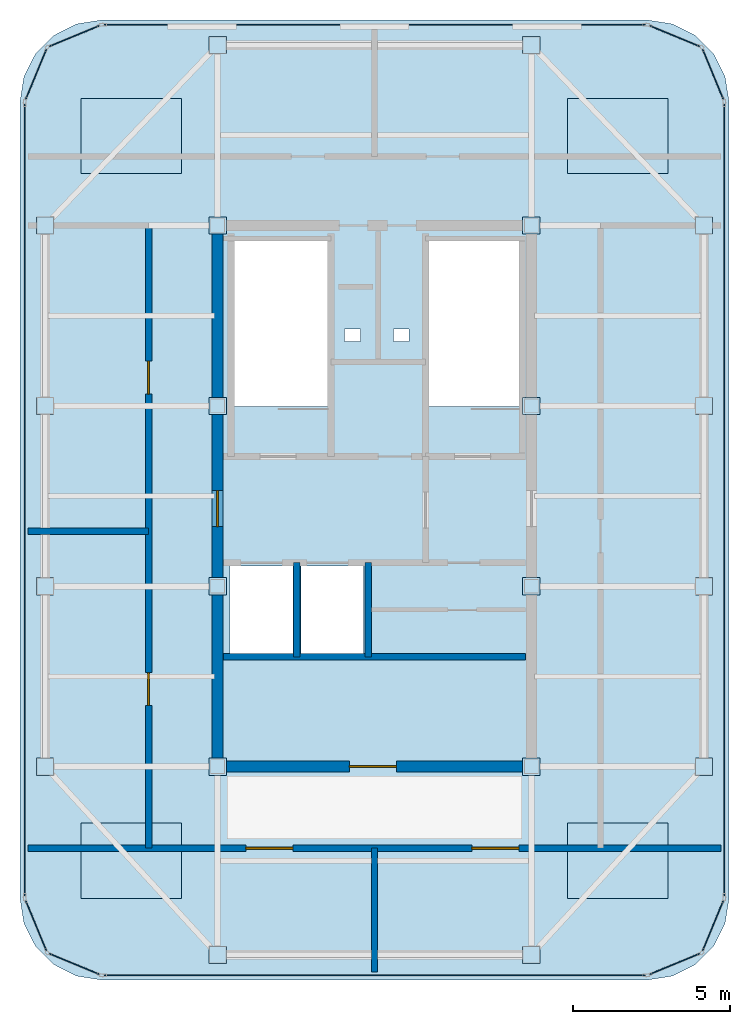
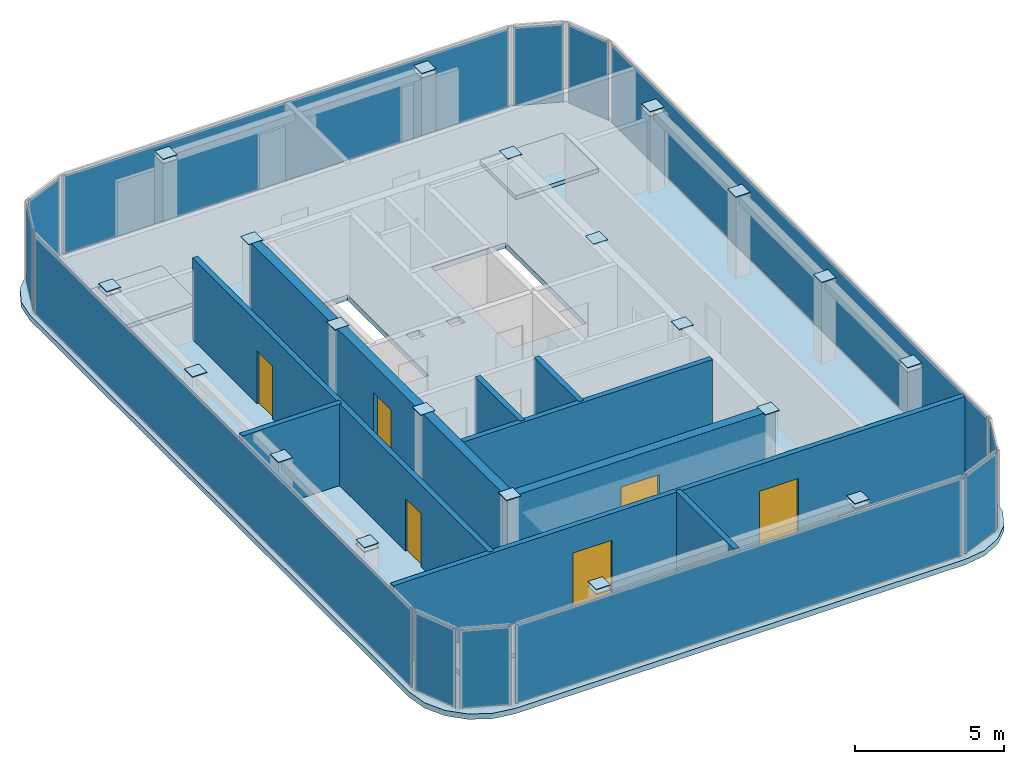
# One storey, part 9 of 11: 40 plates, 9 walls, 6 doors, 5 slabs, 6 openings, 12 elements without a shape of their own.
"""IFC4 building model written with IfcOpenShell, lengths in metres."""

from ifc_helpers import new_model, si_unit, direction, frame, frame_2d, origin, origin_2d, place, context, subcontext, project, spatial, polyline, rectangle, outline, extrude, source, transform, mapped, material, layer, layer_set, type_object, element, fill, aggregate, save


model = new_model("IFC4")

# Units and contexts
model_context = context("Model", 3, precision=1e-05, world=origin(), true_north=direction((0.0, 1.0)))
body_context = subcontext(model_context, "Body", "Model", "MODEL_VIEW")
ifc_project = project(units=[si_unit("LENGTHUNIT", "METRE"), si_unit("AREAUNIT", "SQUARE_METRE"), si_unit("VOLUMEUNIT", "CUBIC_METRE"), si_unit("PLANEANGLEUNIT", "RADIAN"), si_unit("MASSUNIT", "GRAM", prefix="KILO")], contexts=[model_context])

# Site, building, storey
site_placement = place(None, origin())
site = spatial("IfcSite", under=ifc_project, at=site_placement, CompositionType="ELEMENT")
building_placement = place(site_placement, origin())
building = spatial("IfcBuilding", under=site, at=building_placement, Name="Kolveth Station Tower", CompositionType="ELEMENT")
storey_placement = place(building_placement, frame((0.0, 0.0, 292.89990234375)))
storey = spatial("IfcBuildingStorey", under=building, at=storey_placement, Name="L84", CompositionType="ELEMENT", Elevation=292.89990234375)

# Slab
ifc_material_1 = material(Name="Concrete C40/50", Category="concrete")
ifc_layer_1 = layer(ifc_material_1, 0.219970703125)
ifc_layer_set_1 = layer_set([ifc_layer_1], Name="Concrete C40/50")
slab_type_1 = type_object("IfcSlabType", Name="Slab_SF-220", PredefinedType="FLOOR", material=ifc_layer_set_1)
slab_placement = place(storey_placement, frame((0.0, 0.0, -0.219970703125)))
element("IfcSlab", 1, at=slab_placement, inside=storey, type_object=slab_type_1, Name="L84 Tower Structural Floor Slab", PredefinedType="FLOOR", context=body_context, shape_type="SweptSolid", body=[
    extrude(outline(polyline([(32.199951171875, 4.699951171875), (33.00341796875, 4.827392578125), (33.728271484375, 5.196533203125), (34.303466796875, 5.771728515625), (34.672607421875, 6.49658203125), (34.800048828125, 7.300048828125), (34.800048828125, 32.699951171875), (34.672607421875, 33.50341796875), (34.303466796875, 34.228271484375), (33.728271484375, 34.803466796875), (33.00341796875, 35.172607421875), (32.199951171875, 35.300048828125), (14.800048828125, 35.300048828125), (13.99658203125, 35.172607421875), (13.271728515625, 34.803466796875), (12.696533203125, 34.228271484375), (12.327392578125, 33.50341796875), (12.199951171875, 32.699951171875), (12.199951171875, 7.300048828125), (12.327392578125, 6.49658203125), (12.696533203125, 5.771728515625), (13.271728515625, 5.196533203125), (13.99658203125, 4.827392578125), (14.800048828125, 4.699951171875), (32.199951171875, 4.699951171875)]), holes=[polyline([(19.0400390625, 22.985107421875), (22.0, 22.985107421875), (22.0, 28.39990234375), (19.0400390625, 28.39990234375), (19.0400390625, 22.985107421875)]), polyline([(25.239990234375, 22.985107421875), (28.10009765625, 22.985107421875), (28.10009765625, 28.39990234375), (25.239990234375, 28.39990234375), (25.239990234375, 22.985107421875)]), polyline([(18.89990234375, 15.10009765625), (20.89990234375, 15.10009765625), (20.89990234375, 17.89990234375), (18.89990234375, 17.89990234375), (18.89990234375, 15.10009765625)]), polyline([(21.14990234375, 15.10009765625), (23.14990234375, 15.10009765625), (23.14990234375, 17.89990234375), (21.14990234375, 17.89990234375), (21.14990234375, 15.10009765625)]), polyline([(22.550048828125, 25.050048828125), (23.050048828125, 25.050048828125), (23.050048828125, 25.449951171875), (22.550048828125, 25.449951171875), (22.550048828125, 25.050048828125)]), polyline([(24.10009765625, 25.050048828125), (24.60009765625, 25.050048828125), (24.60009765625, 25.449951171875), (24.10009765625, 25.449951171875), (24.10009765625, 25.050048828125)])]), origin(), (0.0, 0.0, 1.0), 0.219970703125),
])

# Plates
ifc_material_2 = material(Name="Steel S355", Category="steel")
ifc_layer_2 = layer(ifc_material_2, 0.028076171875)
ifc_layer_set_2 = layer_set([ifc_layer_2], Name="Steel S355")
plate_type_1 = type_object("IfcPlateType", Name="Plate_CP1", PredefinedType="USERDEFINED", material=ifc_layer_set_2)
shared_shape_1 = source(origin(), body_context, "Body", "SweptSolid", [
    extrude(rectangle(XDim=0.550048828125, YDim=0.550048828125, at=origin_2d()), origin(), (0.0, 0.0, 1.0), 0.028076171875),
])
for number, where, z_axis, x_axis, name in (
    (2, (18.5, 5.5, 3.31201171875), (0.0, 0.0, 1.0), (1.0, 0.0, 0.0), "L84 Tower Column Top Cap Plate S-X185"),
    (3, (18.5, 34.5, 3.31201171875), (0.0, 0.0, 1.0), (1.0, 0.0, 0.0), "L84 Tower Column Top Cap Plate N-X185"),
    (4, (28.5, 5.5, 3.31201171875), (0.0, 0.0, 1.0), (1.0, 0.0, 0.0), "L84 Tower Column Top Cap Plate S-X285"),
    (5, (28.5, 34.5, 3.31201171875), (0.0, 0.0, 1.0), (1.0, 0.0, 0.0), "L84 Tower Column Top Cap Plate N-X285"),
    (6, (13.0, 11.5, 3.31201171875), (0.0, 0.0, 1.0), (1.0, 0.0, 0.0), "L84 Tower Column Top Cap Plate W-Y115"),
    (7, (34.0, 11.5, 3.31201171875), (0.0, 0.0, 1.0), (1.0, 0.0, 0.0), "L84 Tower Column Top Cap Plate E-Y115"),
    (8, (13.0, 17.25, 3.31201171875), (0.0, 0.0, 1.0), (1.0, 0.0, 0.0), "L84 Tower Column Top Cap Plate W-Y172"),
    (9, (34.0, 17.25, 3.31201171875), (0.0, 0.0, 1.0), (1.0, 0.0, 0.0), "L84 Tower Column Top Cap Plate E-Y172"),
    (10, (13.0, 23.0, 3.31201171875), (0.0, 0.0, 1.0), (1.0, 0.0, 0.0), "L84 Tower Column Top Cap Plate W-Y230"),
    (11, (34.0, 23.0, 3.31201171875), (0.0, 0.0, 1.0), (1.0, 0.0, 0.0), "L84 Tower Column Top Cap Plate E-Y230"),
    (12, (13.0, 28.75, 3.31201171875), (0.0, 0.0, 1.0), (1.0, 0.0, 0.0), "L84 Tower Column Top Cap Plate W-Y287"),
    (13, (34.0, 28.75, 3.31201171875), (0.0, 0.0, 1.0), (1.0, 0.0, 0.0), "L84 Tower Column Top Cap Plate E-Y287"),
    (14, (18.5, 11.5, 3.31201171875), (0.0, 0.0, 1.0), (1.0, 0.0, 0.0), "L84 Tower Column Top Cap Plate G-185-115"),
    (15, (18.5, 17.25, 3.31201171875), (0.0, 0.0, 1.0), (1.0, 0.0, 0.0), "L84 Tower Column Top Cap Plate G-185-172"),
    (16, (18.5, 23.0, 3.31201171875), (0.0, 0.0, 1.0), (1.0, 0.0, 0.0), "L84 Tower Column Top Cap Plate G-185-230"),
    (17, (18.5, 28.75, 3.31201171875), (0.0, 0.0, 1.0), (1.0, 0.0, 0.0), "L84 Tower Column Top Cap Plate G-185-287"),
    (18, (28.5, 11.5, 3.31201171875), (0.0, 0.0, 1.0), (1.0, 0.0, 0.0), "L84 Tower Column Top Cap Plate G-285-115"),
    (19, (28.5, 17.25, 3.31201171875), (0.0, 0.0, 1.0), (1.0, 0.0, 0.0), "L84 Tower Column Top Cap Plate G-285-172"),
    (20, (28.5, 23.0, 3.31201171875), (0.0, 0.0, 1.0), (1.0, 0.0, 0.0), "L84 Tower Column Top Cap Plate G-285-230"),
    (21, (28.5, 28.75, 3.31201171875), (0.0, 0.0, 1.0), (1.0, 0.0, 0.0), "L84 Tower Column Top Cap Plate G-285-287"),
    (22, (18.5, 5.5, 3.13623046875), (0.0, 0.0, 1.0), (1.0, 0.0, 0.0), "L84 Crown Chord End Plate 1"),
    (23, (28.5, 5.5, 3.13623046875), (0.0, 0.0, 1.0), (1.0, 0.0, 0.0), "L84 Crown Chord End Plate 2"),
    (24, (18.5, 34.5, 3.13623046875), (0.0, 0.0, 1.0), (1.0, 0.0, 0.0), "L84 Crown Chord End Plate 3"),
    (25, (28.5, 34.5, 3.13623046875), (0.0, 0.0, 1.0), (1.0, 0.0, 0.0), "L84 Crown Chord End Plate 4"),
    (26, (13.0, 11.5, 3.13623046875), (0.0, 0.0, 1.0), (1.0, 0.0, 0.0), "L84 Crown Chord End Plate 5"),
    (27, (13.0, 28.75, 3.13623046875), (0.0, 0.0, 1.0), (1.0, 0.0, 0.0), "L84 Crown Chord End Plate 6"),
    (28, (34.0, 11.5, 3.13623046875), (0.0, 0.0, 1.0), (1.0, 0.0, 0.0), "L84 Crown Chord End Plate 7"),
    (29, (34.0, 28.75, 3.13623046875), (0.0, 0.0, 1.0), (1.0, 0.0, 0.0), "L84 Crown Chord End Plate 8"),
):
    element("IfcPlate", number, at=place(storey_placement, frame(where, z_axis=z_axis, x_axis=x_axis)), inside=storey, type_object=plate_type_1, Name=name, ObjectType="GUSSET_PLATE", PredefinedType="USERDEFINED", context=body_context, shape_type="MappedRepresentation", body=[
        mapped(shared_shape_1, transform((0.0, 0.0, 0.0), x_axis=(1.0, 0.0, 0.0), y_axis=(0.0, 1.0, 0.0), z_axis=(0.0, 0.0, 1.0), scale=1.0)),
    ])

# Slabs
ifc_layer_3 = layer(ifc_material_1, 0.159912109375)
ifc_layer_set_3 = layer_set([ifc_layer_3], Name="Concrete C40/50")
slab_type_2 = type_object("IfcSlabType", Name="Slab_PL-160", PredefinedType="FLOOR", material=ifc_layer_set_3)
shared_shape_2 = source(origin(), body_context, "Body", "SweptSolid", [
    extrude(rectangle(XDim=3.199951171875, YDim=2.39990234375, at=origin_2d()), origin(), (0.0, 0.0, 1.0), 0.159912109375),
])
for number, where, z_axis, x_axis, name in (
    (30, (15.75, 8.5, 0.0), (0.0, 0.0, 1.0), (1.0, 0.0, 0.0), "L84 High-Altitude Plant Plinth 1"),
    (31, (31.25, 8.5, 0.0), (0.0, 0.0, 1.0), (1.0, 0.0, 0.0), "L84 High-Altitude Plant Plinth 2"),
    (32, (15.75, 31.60009765625, 0.0), (0.0, 0.0, 1.0), (1.0, 0.0, 0.0), "L84 High-Altitude Plant Plinth 3"),
    (33, (31.25, 31.60009765625, 0.0), (0.0, 0.0, 1.0), (1.0, 0.0, 0.0), "L84 High-Altitude Plant Plinth 4"),
):
    element("IfcSlab", number, at=place(storey_placement, frame(where, z_axis=z_axis, x_axis=x_axis)), inside=storey, type_object=slab_type_2, Name=name, PredefinedType="FLOOR", context=body_context, shape_type="MappedRepresentation", body=[
        mapped(shared_shape_2, transform((0.0, 0.0, 0.0), x_axis=(1.0, 0.0, 0.0), y_axis=(0.0, 1.0, 0.0), z_axis=(0.0, 0.0, 1.0), scale=1.0)),
    ])

# Curtain wall, plate
ifc_material_3 = material(Name="Black anodized aluminium 6063-T6 and dark crown glass", Category="aluminium")
ifc_layer_4 = layer(ifc_material_3, 0.169921875)
ifc_layer_set_4 = layer_set([ifc_layer_4], Name="Black anodized aluminium 6063-T6 and dark crown glass")
curtain_wall_type = type_object("IfcCurtainWallType", Name="CurtainWall_CW-CR", PredefinedType="NOTDEFINED", material=ifc_layer_set_4)
curtain_wall_1_placement = place(storey_placement, origin())
curtain_wall_1 = element("IfcCurtainWall", 34, at=curtain_wall_1_placement, inside=storey, type_object=curtain_wall_type, Name="L84 Stepped Crown Curtain Wall 1", PredefinedType="NOTDEFINED")
ifc_material_4 = material(Name="Architectural low-E dark glass", Category="glass")
ifc_layer_5 = layer(ifc_material_4, 0.033935546875)
ifc_layer_set_5 = layer_set([ifc_layer_5], Name="Architectural low-E dark glass")
plate_type_2 = type_object("IfcPlateType", Name="Panel_GL-CR", PredefinedType="CURTAIN_PANEL", material=ifc_layer_set_5)
shared_shape_3 = source(origin(), body_context, "Body", "SweptSolid", [
    extrude(rectangle(XDim=1.718994140625, YDim=0.033935546875, at=origin_2d()), origin(), (0.0, 0.0, 1.0), 3.194091796875),
])
plate_1_placement = place(storey_placement, frame((33.066162109375, 5.208740234375, 0.0732421875), z_axis=(0.0, 0.0, 1.0), x_axis=(0.923876435676, 0.382690908701, 0.0)))
plate_1 = element("IfcPlate", 35, at=plate_1_placement, type_object=plate_type_2, Name="CW-CR panel 1.1", PredefinedType="CURTAIN_PANEL", context=body_context, shape_type="MappedRepresentation", body=[
    mapped(shared_shape_3, transform((0.0, 0.0, 0.0), x_axis=(1.0, 0.0, 0.0), y_axis=(0.0, 1.0, 0.0), z_axis=(0.0, 0.0, 1.0), scale=1.0)),
])
aggregate(curtain_wall_1, [plate_1])

curtain_wall_2_placement = place(storey_placement, origin())
curtain_wall_2 = element("IfcCurtainWall", 36, at=curtain_wall_2_placement, inside=storey, type_object=curtain_wall_type, Name="L84 Stepped Crown Curtain Wall 2", PredefinedType="NOTDEFINED")
plate_2_placement = place(storey_placement, frame((34.291259765625, 6.433837890625, 0.0732421875), z_axis=(0.0, 0.0, 1.0), x_axis=(0.382690908701, 0.923876435676, 0.0)))
plate_2 = element("IfcPlate", 37, at=plate_2_placement, type_object=plate_type_2, Name="CW-CR panel 1.1", PredefinedType="CURTAIN_PANEL", context=body_context, shape_type="MappedRepresentation", body=[
    mapped(shared_shape_3, transform((0.0, 0.0, 0.0), x_axis=(1.0, 0.0, 0.0), y_axis=(0.0, 1.0, 0.0), z_axis=(0.0, 0.0, 1.0), scale=1.0)),
])
aggregate(curtain_wall_2, [plate_2])

curtain_wall_3_placement = place(storey_placement, origin())
curtain_wall_3 = element("IfcCurtainWall", 38, at=curtain_wall_3_placement, inside=storey, type_object=curtain_wall_type, Name="L84 Stepped Crown Curtain Wall 4", PredefinedType="NOTDEFINED")
plate_3_placement = place(storey_placement, frame((34.291259765625, 33.566162109375, 0.0732421875), z_axis=(0.0, 0.0, 1.0), x_axis=(-0.382690908701, 0.923876435676, 0.0)))
plate_3 = element("IfcPlate", 39, at=plate_3_placement, type_object=plate_type_2, Name="CW-CR panel 1.1", PredefinedType="CURTAIN_PANEL", context=body_context, shape_type="MappedRepresentation", body=[
    mapped(shared_shape_3, transform((0.0, 0.0, 0.0), x_axis=(1.0, 0.0, 0.0), y_axis=(0.0, 1.0, 0.0), z_axis=(0.0, 0.0, 1.0), scale=1.0)),
])
aggregate(curtain_wall_3, [plate_3])

curtain_wall_4_placement = place(storey_placement, origin())
curtain_wall_4 = element("IfcCurtainWall", 40, at=curtain_wall_4_placement, inside=storey, type_object=curtain_wall_type, Name="L84 Stepped Crown Curtain Wall 5", PredefinedType="NOTDEFINED")
plate_4_placement = place(storey_placement, frame((33.066162109375, 34.791259765625, 0.0732421875), z_axis=(0.0, 0.0, 1.0), x_axis=(-0.923876435676, 0.382690908701, 0.0)))
plate_4 = element("IfcPlate", 41, at=plate_4_placement, type_object=plate_type_2, Name="CW-CR panel 1.1", PredefinedType="CURTAIN_PANEL", context=body_context, shape_type="MappedRepresentation", body=[
    mapped(shared_shape_3, transform((0.0, 0.0, 0.0), x_axis=(1.0, 0.0, 0.0), y_axis=(0.0, 1.0, 0.0), z_axis=(0.0, 0.0, 1.0), scale=1.0)),
])
aggregate(curtain_wall_4, [plate_4])

curtain_wall_5_placement = place(storey_placement, origin())
curtain_wall_5 = element("IfcCurtainWall", 42, at=curtain_wall_5_placement, inside=storey, type_object=curtain_wall_type, Name="L84 Stepped Crown Curtain Wall 7", PredefinedType="NOTDEFINED")
plate_5_placement = place(storey_placement, frame((13.933837890625, 34.791259765625, 0.0732421875), z_axis=(0.0, 0.0, 1.0), x_axis=(-0.923876435676, -0.382690908701, 0.0)))
plate_5 = element("IfcPlate", 43, at=plate_5_placement, type_object=plate_type_2, Name="CW-CR panel 1.1", PredefinedType="CURTAIN_PANEL", context=body_context, shape_type="MappedRepresentation", body=[
    mapped(shared_shape_3, transform((0.0, 0.0, 0.0), x_axis=(1.0, 0.0, 0.0), y_axis=(0.0, 1.0, 0.0), z_axis=(0.0, 0.0, 1.0), scale=1.0)),
])
aggregate(curtain_wall_5, [plate_5])

curtain_wall_6_placement = place(storey_placement, origin())
curtain_wall_6 = element("IfcCurtainWall", 44, at=curtain_wall_6_placement, inside=storey, type_object=curtain_wall_type, Name="L84 Stepped Crown Curtain Wall 8", PredefinedType="NOTDEFINED")
plate_6_placement = place(storey_placement, frame((12.708740234375, 33.566162109375, 0.0732421875), z_axis=(0.0, 0.0, 1.0), x_axis=(-0.382690908701, -0.923876435676, 0.0)))
plate_6 = element("IfcPlate", 45, at=plate_6_placement, type_object=plate_type_2, Name="CW-CR panel 1.1", PredefinedType="CURTAIN_PANEL", context=body_context, shape_type="MappedRepresentation", body=[
    mapped(shared_shape_3, transform((0.0, 0.0, 0.0), x_axis=(1.0, 0.0, 0.0), y_axis=(0.0, 1.0, 0.0), z_axis=(0.0, 0.0, 1.0), scale=1.0)),
])
aggregate(curtain_wall_6, [plate_6])

curtain_wall_7_placement = place(storey_placement, origin())
curtain_wall_7 = element("IfcCurtainWall", 46, at=curtain_wall_7_placement, inside=storey, type_object=curtain_wall_type, Name="L84 Stepped Crown Curtain Wall 10", PredefinedType="NOTDEFINED")
plate_7_placement = place(storey_placement, frame((12.708740234375, 6.433837890625, 0.0732421875), z_axis=(0.0, 0.0, 1.0), x_axis=(0.382690908701, -0.923876435676, 0.0)))
plate_7 = element("IfcPlate", 47, at=plate_7_placement, type_object=plate_type_2, Name="CW-CR panel 1.1", PredefinedType="CURTAIN_PANEL", context=body_context, shape_type="MappedRepresentation", body=[
    mapped(shared_shape_3, transform((0.0, 0.0, 0.0), x_axis=(1.0, 0.0, 0.0), y_axis=(0.0, 1.0, 0.0), z_axis=(0.0, 0.0, 1.0), scale=1.0)),
])
aggregate(curtain_wall_7, [plate_7])

curtain_wall_8_placement = place(storey_placement, origin())
curtain_wall_8 = element("IfcCurtainWall", 48, at=curtain_wall_8_placement, inside=storey, type_object=curtain_wall_type, Name="L84 Stepped Crown Curtain Wall 11", PredefinedType="NOTDEFINED")
plate_8_placement = place(storey_placement, frame((13.933837890625, 5.208740234375, 0.0732421875), z_axis=(0.0, 0.0, 1.0), x_axis=(0.923876435676, -0.382690908701, 0.0)))
plate_8 = element("IfcPlate", 49, at=plate_8_placement, type_object=plate_type_2, Name="CW-CR panel 1.1", PredefinedType="CURTAIN_PANEL", context=body_context, shape_type="MappedRepresentation", body=[
    mapped(shared_shape_3, transform((0.0, 0.0, 0.0), x_axis=(1.0, 0.0, 0.0), y_axis=(0.0, 1.0, 0.0), z_axis=(0.0, 0.0, 1.0), scale=1.0)),
])
aggregate(curtain_wall_8, [plate_8])

curtain_wall_9_placement = place(storey_placement, origin())
curtain_wall_9 = element("IfcCurtainWall", 50, at=curtain_wall_9_placement, inside=storey, type_object=curtain_wall_type, Name="L84 Stepped Crown Curtain Wall 3", PredefinedType="NOTDEFINED")
shared_shape_4 = source(origin(), body_context, "Body", "SweptSolid", [
    extrude(rectangle(XDim=25.243896484375, YDim=0.033935546875, at=origin_2d()), origin(), (0.0, 0.0, 1.0), 3.194091796875),
])
plate_9_placement = place(storey_placement, frame((34.64990234375, 20.0, 0.0732421875), z_axis=(0.0, 0.0, 1.0), x_axis=(0.0, 1.0, 0.0)))
plate_9 = element("IfcPlate", 51, at=plate_9_placement, type_object=plate_type_2, Name="CW-CR panel 1.1", PredefinedType="CURTAIN_PANEL", context=body_context, shape_type="MappedRepresentation", body=[
    mapped(shared_shape_4, transform((0.0, 0.0, 0.0), x_axis=(1.0, 0.0, 0.0), y_axis=(0.0, 1.0, 0.0), z_axis=(0.0, 0.0, 1.0), scale=1.0)),
])
aggregate(curtain_wall_9, [plate_9])

curtain_wall_10_placement = place(storey_placement, origin())
curtain_wall_10 = element("IfcCurtainWall", 52, at=curtain_wall_10_placement, inside=storey, type_object=curtain_wall_type, Name="L84 Stepped Crown Curtain Wall 9", PredefinedType="NOTDEFINED")
plate_10_placement = place(storey_placement, frame((12.35009765625, 20.0, 0.0732421875), z_axis=(0.0, 0.0, 1.0), x_axis=(0.0, -1.0, 0.0)))
plate_10 = element("IfcPlate", 53, at=plate_10_placement, type_object=plate_type_2, Name="CW-CR panel 1.1", PredefinedType="CURTAIN_PANEL", context=body_context, shape_type="MappedRepresentation", body=[
    mapped(shared_shape_4, transform((0.0, 0.0, 0.0), x_axis=(1.0, 0.0, 0.0), y_axis=(0.0, 1.0, 0.0), z_axis=(0.0, 0.0, 1.0), scale=1.0)),
])
aggregate(curtain_wall_10, [plate_10])

curtain_wall_11_placement = place(storey_placement, origin())
curtain_wall_11 = element("IfcCurtainWall", 54, at=curtain_wall_11_placement, inside=storey, type_object=curtain_wall_type, Name="L84 Stepped Crown Curtain Wall 6", PredefinedType="NOTDEFINED")
shared_shape_5 = source(origin(), body_context, "Body", "SweptSolid", [
    extrude(rectangle(XDim=17.243896484375, YDim=0.033935546875, at=origin_2d()), origin(), (0.0, 0.0, 1.0), 3.194091796875),
])
plate_11_placement = place(storey_placement, frame((23.5, 35.14990234375, 0.0732421875), z_axis=(0.0, 0.0, 1.0), x_axis=(-1.0, 0.0, 0.0)))
plate_11 = element("IfcPlate", 55, at=plate_11_placement, type_object=plate_type_2, Name="CW-CR panel 1.1", PredefinedType="CURTAIN_PANEL", context=body_context, shape_type="MappedRepresentation", body=[
    mapped(shared_shape_5, transform((0.0, 0.0, 0.0), x_axis=(1.0, 0.0, 0.0), y_axis=(0.0, 1.0, 0.0), z_axis=(0.0, 0.0, 1.0), scale=1.0)),
])
aggregate(curtain_wall_11, [plate_11])

curtain_wall_12_placement = place(storey_placement, origin())
curtain_wall_12 = element("IfcCurtainWall", 56, at=curtain_wall_12_placement, inside=storey, type_object=curtain_wall_type, Name="L84 Stepped Crown Curtain Wall 12", PredefinedType="NOTDEFINED")
plate_12_placement = place(storey_placement, frame((23.5, 4.85009765625, 0.0732421875), z_axis=(0.0, 0.0, 1.0), x_axis=(1.0, 0.0, 0.0)))
plate_12 = element("IfcPlate", 57, at=plate_12_placement, type_object=plate_type_2, Name="CW-CR panel 1.1", PredefinedType="CURTAIN_PANEL", context=body_context, shape_type="MappedRepresentation", body=[
    mapped(shared_shape_5, transform((0.0, 0.0, 0.0), x_axis=(1.0, 0.0, 0.0), y_axis=(0.0, 1.0, 0.0), z_axis=(0.0, 0.0, 1.0), scale=1.0)),
])
aggregate(curtain_wall_12, [plate_12])

# Wall, opening, door
ifc_material_5 = material(Name="Concrete C50/60", Category="concrete")
ifc_layer_6 = layer(ifc_material_5, 0.35009765625)
ifc_layer_set_6 = layer_set([ifc_layer_6], Name="Concrete C50/60")
wall_type_1 = type_object("IfcWallType", Name="Wall_CW-350", PredefinedType="SHEAR", material=ifc_layer_set_6)
wall_1_placement = place(storey_placement, frame((18.324951171875, 11.5, 0.0), z_axis=(0.0, 0.0, 1.0), x_axis=(1.0, 0.0, 0.0)))
wall_1 = element("IfcWall", 58, at=wall_1_placement, inside=storey, type_object=wall_type_1, Name="L84 Core RC Shear Wall S", PredefinedType="SHEAR", context=body_context, shape_type="SweptSolid", body=[
    extrude(rectangle(XDim=10.35009765625, YDim=0.35009765625, at=frame_2d((5.175048828125, 0.0))), origin(), (0.0, 0.0, 1.0), 3.340087890625),
])
opening_1_placement = place(wall_1_placement, frame((4.375, 0.0, 0.0)))
opening_1 = element("IfcOpeningElement", 59, at=opening_1_placement, cuts=wall_1, Name="Opening FD4", PredefinedType="OPENING", context=body_context, shape_type="SweptSolid", body=[
    extrude(rectangle(XDim=1.5, YDim=2.25, at=frame_2d((0.75, 1.125))), frame((0.0, 0.18505859375, 0.0), z_axis=(0.0, -1.0, 0.0), x_axis=(1.0, 0.0, 0.0)), (0.0, 0.0, 1.0), 0.3701171875),
])
ifc_material_6 = material(Name="Fire-rated double Steel S355 leaf", Category="steel")
door_type_1 = type_object("IfcDoorType", Name="Door_FD4", OperationType="NOTDEFINED", PredefinedType="DOOR", material=ifc_material_6)
door_1_placement = place(opening_1_placement, frame((1.5, 0.0, 0.0), z_axis=(0.0, 0.0, 1.0), x_axis=(-1.0, 0.0, 0.0)))
door_1 = element("IfcDoor", 60, at=door_1_placement, inside=storey, type_object=door_type_1, Name="L84 Fan Plant Double Door", OperationType="DOUBLE_DOOR_SINGLE_SWING", OverallHeight=2.25, OverallWidth=1.5, PredefinedType="DOOR", context=body_context, shape_type="SweptSolid", body=[
    extrude(rectangle(XDim=1.5, YDim=2.25, at=frame_2d((0.75, 1.125))), frame((0.0, 0.02490234375, 0.0), z_axis=(0.0, -1.0, 0.0), x_axis=(1.0, 0.0, 0.0)), (0.0, 0.0, 1.0), 0.050048828125),
])
fill(opening_1, door_1)

wall_2_placement = place(storey_placement, frame((18.5, 11.675048828125, 0.0), z_axis=(0.0, 0.0, 1.0), x_axis=(0.0, 1.0, 0.0)))
wall_2 = element("IfcWall", 61, at=wall_2_placement, inside=storey, type_object=wall_type_1, Name="L84 Core RC Shear Wall W", PredefinedType="SHEAR", context=body_context, shape_type="SweptSolid", body=[
    extrude(rectangle(XDim=16.89990234375, YDim=0.35009765625, at=frame_2d((8.449951171875, 0.0))), origin(), (0.0, 0.0, 1.0), 3.340087890625),
])
opening_2_placement = place(wall_2_placement, frame((7.47509765625, 0.0, 0.0)))
opening_2 = element("IfcOpeningElement", 62, at=opening_2_placement, cuts=wall_2, Name="Opening FD1", PredefinedType="OPENING", context=body_context, shape_type="SweptSolid", body=[
    extrude(rectangle(XDim=1.14990234375, YDim=2.199951171875, at=frame_2d((0.574951171875, 1.10009765625))), frame((0.0, 0.18505859375, 0.0), z_axis=(0.0, -1.0, 0.0), x_axis=(1.0, 0.0, 0.0)), (0.0, 0.0, 1.0), 0.3701171875),
])
ifc_material_7 = material(Name="Fire-rated Steel S355 leaf and frame", Category="steel")
door_type_2 = type_object("IfcDoorType", Name="Door_FD1", OperationType="NOTDEFINED", PredefinedType="DOOR", material=ifc_material_7)
door_2_placement = place(opening_2_placement, frame((1.14990234375, 0.0, 0.0), z_axis=(0.0, 0.0, 1.0), x_axis=(-1.0, 0.0, 0.0)))
door_2 = element("IfcDoor", 63, at=door_2_placement, inside=storey, type_object=door_type_2, Name="L84 West Corridor to Firefighting Lobby Door", OperationType="SINGLE_SWING_LEFT", OverallHeight=2.199951171875, OverallWidth=1.14990234375, PredefinedType="DOOR", context=body_context, shape_type="SweptSolid", body=[
    extrude(rectangle(XDim=1.14990234375, YDim=2.199951171875, at=frame_2d((0.574951171875, 1.10009765625))), frame((0.0, 0.02490234375, 0.0), z_axis=(0.0, -1.0, 0.0), x_axis=(1.0, 0.0, 0.0)), (0.0, 0.0, 1.0), 0.050048828125),
])
fill(opening_2, door_2)

# Walls
ifc_material_8 = material(Name="Acoustic fire-rated gypsum blockwork", Category="masonry")
ifc_layer_7 = layer(ifc_material_8, 0.199951171875)
ifc_layer_set_7 = layer_set([ifc_layer_7], Name="Acoustic fire-rated gypsum blockwork")
wall_type_2 = type_object("IfcWallType", Name="Wall_IW-200", PredefinedType="PARTITIONING", material=ifc_layer_set_7)
for number, where, z_axis, x_axis, name in (
    (64, (21.02001953125, 15.0, 0.0), (0.0, 0.0, 1.0), (0.0, 1.0, 0.0), "L84 Partition Wall WL-L84-FF12"),
    (65, (23.300048828125, 15.0, 0.0), (0.0, 0.0, 1.0), (0.0, 1.0, 0.0), "L84 Partition Wall WL-L84-FF2E"),
):
    element("IfcWall", number, at=place(storey_placement, frame(where, z_axis=z_axis, x_axis=x_axis)), inside=storey, type_object=wall_type_2, Name=name, PredefinedType="PARTITIONING", context=body_context, shape_type="SweptSolid", body=[
        extrude(rectangle(XDim=3.0, YDim=0.199951171875, at=frame_2d((1.5, 0.0))), origin(), (0.0, 0.0, 1.0), 3.340087890625),
    ])
wall_3_placement = place(storey_placement, frame((18.68505859375, 15.0, 0.0), z_axis=(0.0, 0.0, 1.0), x_axis=(1.0, 0.0, 0.0)))
element("IfcWall", 66, at=wall_3_placement, inside=storey, type_object=wall_type_2, Name="L84 Partition Wall WL-L84-BOH-S", PredefinedType="PARTITIONING", context=body_context, shape_type="SweptSolid", body=[
    extrude(rectangle(XDim=9.6298828125, YDim=0.199951171875, at=frame_2d((4.81494140625, 0.0))), origin(), (0.0, 0.0, 1.0), 3.340087890625),
])

# Wall, openings, doors
wall_4_placement = place(storey_placement, frame((12.449951171875, 8.89990234375, 0.0), z_axis=(0.0, 0.0, 1.0), x_axis=(1.0, 0.0, 0.0)))
wall_4 = element("IfcWall", 67, at=wall_4_placement, inside=storey, type_object=wall_type_2, Name="L84 Partition Wall WL-L84-PR-S", PredefinedType="PARTITIONING", context=body_context, shape_type="SweptSolid", body=[
    extrude(rectangle(XDim=22.10009765625, YDim=0.199951171875, at=frame_2d((11.050048828125, 0.0))), origin(), (0.0, 0.0, 1.0), 3.340087890625),
])
opening_3_placement = place(wall_4_placement, frame((6.949951171875, 0.0, 0.0)))
opening_3 = element("IfcOpeningElement", 68, at=opening_3_placement, cuts=wall_4, Name="Opening FD4", PredefinedType="OPENING", context=body_context, shape_type="SweptSolid", body=[
    extrude(rectangle(XDim=1.5, YDim=2.25, at=frame_2d((0.75, 1.125))), frame((0.0, 0.10986328125, 0.0), z_axis=(0.0, -1.0, 0.0), x_axis=(1.0, 0.0, 0.0)), (0.0, 0.0, 1.0), 0.219970703125),
])
opening_4_placement = place(wall_4_placement, frame((14.14990234375, 0.0, 0.0)))
opening_4 = element("IfcOpeningElement", 69, at=opening_4_placement, cuts=wall_4, Name="Opening FD4", PredefinedType="OPENING", context=body_context, shape_type="SweptSolid", body=[
    extrude(rectangle(XDim=1.5, YDim=2.25, at=frame_2d((0.75, 1.125))), frame((0.0, 0.10986328125, 0.0), z_axis=(0.0, -1.0, 0.0), x_axis=(1.0, 0.0, 0.0)), (0.0, 0.0, 1.0), 0.219970703125),
])
door_3_placement = place(opening_3_placement, frame((1.5, 0.0, 0.0), z_axis=(0.0, 0.0, 1.0), x_axis=(-1.0, 0.0, 0.0)))
door_3 = element("IfcDoor", 70, at=door_3_placement, inside=storey, type_object=door_type_1, Name="L84 High-Altitude Chiller Plant Room Door", OperationType="SINGLE_SWING_RIGHT", OverallHeight=2.25, OverallWidth=1.5, PredefinedType="DOOR", context=body_context, shape_type="SweptSolid", body=[
    extrude(rectangle(XDim=1.5, YDim=2.25, at=frame_2d((0.75, 1.125))), frame((0.0, 0.02490234375, 0.0), z_axis=(0.0, -1.0, 0.0), x_axis=(1.0, 0.0, 0.0)), (0.0, 0.0, 1.0), 0.050048828125),
])
fill(opening_3, door_3)
door_4_placement = place(opening_4_placement, frame((1.5, 0.0, 0.0), z_axis=(0.0, 0.0, 1.0), x_axis=(-1.0, 0.0, 0.0)))
door_4 = element("IfcDoor", 71, at=door_4_placement, inside=storey, type_object=door_type_1, Name="L84 Standby Generator Plant Room Door", OperationType="SINGLE_SWING_LEFT", OverallHeight=2.25, OverallWidth=1.5, PredefinedType="DOOR", context=body_context, shape_type="SweptSolid", body=[
    extrude(rectangle(XDim=1.5, YDim=2.25, at=frame_2d((0.75, 1.125))), frame((0.0, 0.02490234375, 0.0), z_axis=(0.0, -1.0, 0.0), x_axis=(1.0, 0.0, 0.0)), (0.0, 0.0, 1.0), 0.050048828125),
])
fill(opening_4, door_4)

wall_5_placement = place(storey_placement, frame((16.300048828125, 8.89990234375, 0.0), z_axis=(0.0, 0.0, 1.0), x_axis=(0.0, 1.0, 0.0)))
wall_5 = element("IfcWall", 72, at=wall_5_placement, inside=storey, type_object=wall_type_2, Name="L84 Partition Wall WL-L84-PR-W", PredefinedType="PARTITIONING", context=body_context, shape_type="SweptSolid", body=[
    extrude(rectangle(XDim=19.85009765625, YDim=0.199951171875, at=frame_2d((9.925048828125, 0.0))), origin(), (0.0, 0.0, 1.0), 3.340087890625),
])
opening_5_placement = place(wall_5_placement, frame((4.550048828125, 0.0, 0.0)))
opening_5 = element("IfcOpeningElement", 73, at=opening_5_placement, cuts=wall_5, Name="Opening FD2", PredefinedType="OPENING", context=body_context, shape_type="SweptSolid", body=[
    extrude(rectangle(XDim=1.050048828125, YDim=2.14990234375, at=frame_2d((0.52490234375, 1.074951171875))), frame((0.0, 0.10986328125, 0.0), z_axis=(0.0, -1.0, 0.0), x_axis=(1.0, 0.0, 0.0)), (0.0, 0.0, 1.0), 0.219970703125),
])
opening_6_placement = place(wall_5_placement, frame((14.47509765625, 0.0, 0.0)))
opening_6 = element("IfcOpeningElement", 74, at=opening_6_placement, cuts=wall_5, Name="Opening FD2", PredefinedType="OPENING", context=body_context, shape_type="SweptSolid", body=[
    extrude(rectangle(XDim=1.050048828125, YDim=2.14990234375, at=frame_2d((0.52490234375, 1.074951171875))), frame((0.0, 0.10986328125, 0.0), z_axis=(0.0, -1.0, 0.0), x_axis=(1.0, 0.0, 0.0)), (0.0, 0.0, 1.0), 0.219970703125),
])
door_type_3 = type_object("IfcDoorType", Name="Door_FD2", OperationType="NOTDEFINED", PredefinedType="DOOR", material=ifc_material_7)
door_5_placement = place(opening_5_placement, frame((1.050048828125, 0.0, 0.0), z_axis=(0.0, 0.0, 1.0), x_axis=(-1.0, 0.0, 0.0)))
door_5 = element("IfcDoor", 75, at=door_5_placement, inside=storey, type_object=door_type_3, Name="L84 Air Handling Plant Room Door", OperationType="SINGLE_SWING_RIGHT", OverallHeight=2.14990234375, OverallWidth=1.050048828125, PredefinedType="DOOR", context=body_context, shape_type="SweptSolid", body=[
    extrude(rectangle(XDim=1.050048828125, YDim=2.14990234375, at=frame_2d((0.52490234375, 1.074951171875))), frame((0.0, 0.02490234375, 0.0), z_axis=(0.0, -1.0, 0.0), x_axis=(1.0, 0.0, 0.0)), (0.0, 0.0, 1.0), 0.050048828125),
])
fill(opening_5, door_5)
door_6_placement = place(opening_6_placement, frame((1.050048828125, 0.0, 0.0), z_axis=(0.0, 0.0, 1.0), x_axis=(-1.0, 0.0, 0.0)))
door_6 = element("IfcDoor", 76, at=door_6_placement, inside=storey, type_object=door_type_3, Name="L84 Heat Recovery Plant Room Door", OperationType="SINGLE_SWING_LEFT", OverallHeight=2.14990234375, OverallWidth=1.050048828125, PredefinedType="DOOR", context=body_context, shape_type="SweptSolid", body=[
    extrude(rectangle(XDim=1.050048828125, YDim=2.14990234375, at=frame_2d((0.52490234375, 1.074951171875))), frame((0.0, 0.02490234375, 0.0), z_axis=(0.0, -1.0, 0.0), x_axis=(1.0, 0.0, 0.0)), (0.0, 0.0, 1.0), 0.050048828125),
])
fill(opening_6, door_6)

# Walls
wall_6_placement = place(storey_placement, frame((23.5, 4.949951171875, 0.0), z_axis=(0.0, 0.0, 1.0), x_axis=(0.0, 1.0, 0.0)))
element("IfcWall", 77, at=wall_6_placement, inside=storey, type_object=wall_type_2, Name="L84 Partition Wall WL-L84-CS-P1", PredefinedType="PARTITIONING", context=body_context, shape_type="SweptSolid", body=[
    extrude(rectangle(XDim=3.949951171875, YDim=0.199951171875, at=frame_2d((1.97509765625, 0.0))), origin(), (0.0, 0.0, 1.0), 3.340087890625),
])
wall_7_placement = place(storey_placement, frame((12.449951171875, 19.0, 0.0), z_axis=(0.0, 0.0, 1.0), x_axis=(1.0, 0.0, 0.0)))
element("IfcWall", 78, at=wall_7_placement, inside=storey, type_object=wall_type_2, Name="L84 Partition Wall WL-L84-CW-P1", PredefinedType="PARTITIONING", context=body_context, shape_type="SweptSolid", body=[
    extrude(rectangle(XDim=3.85009765625, YDim=0.199951171875, at=frame_2d((1.925048828125, 0.0))), origin(), (0.0, 0.0, 1.0), 3.340087890625),
])

save(model, "model.ifc")
